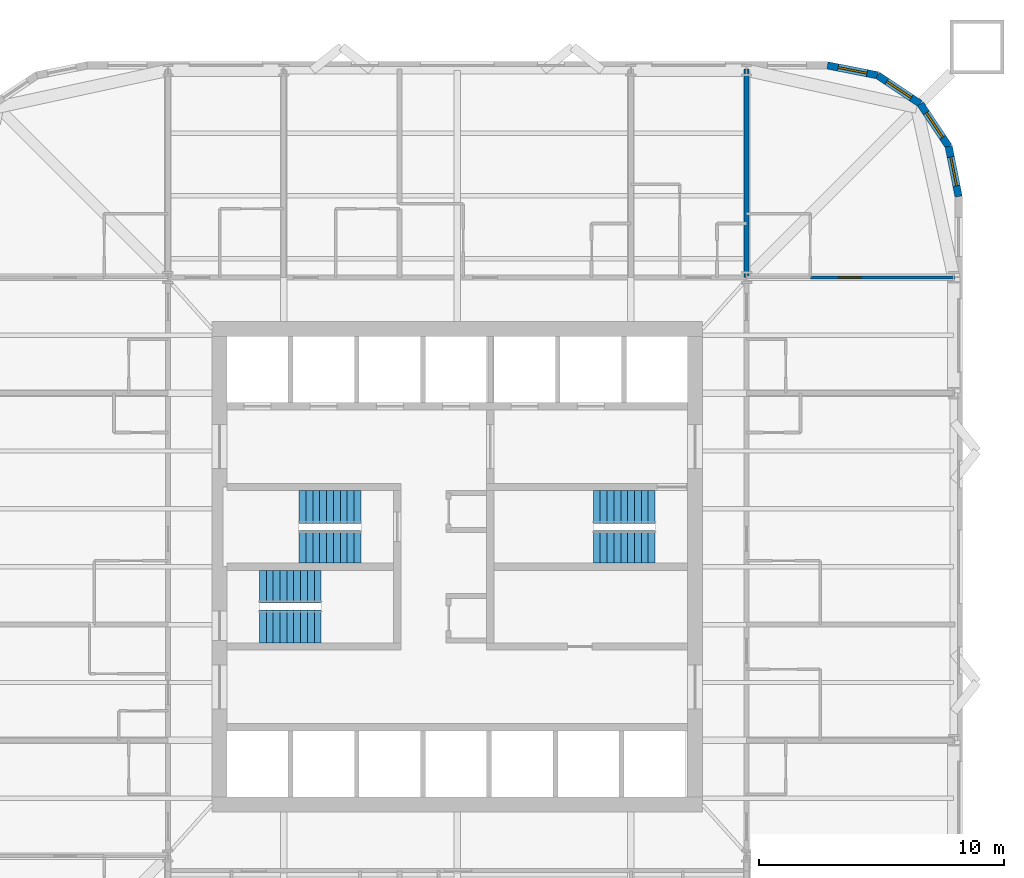
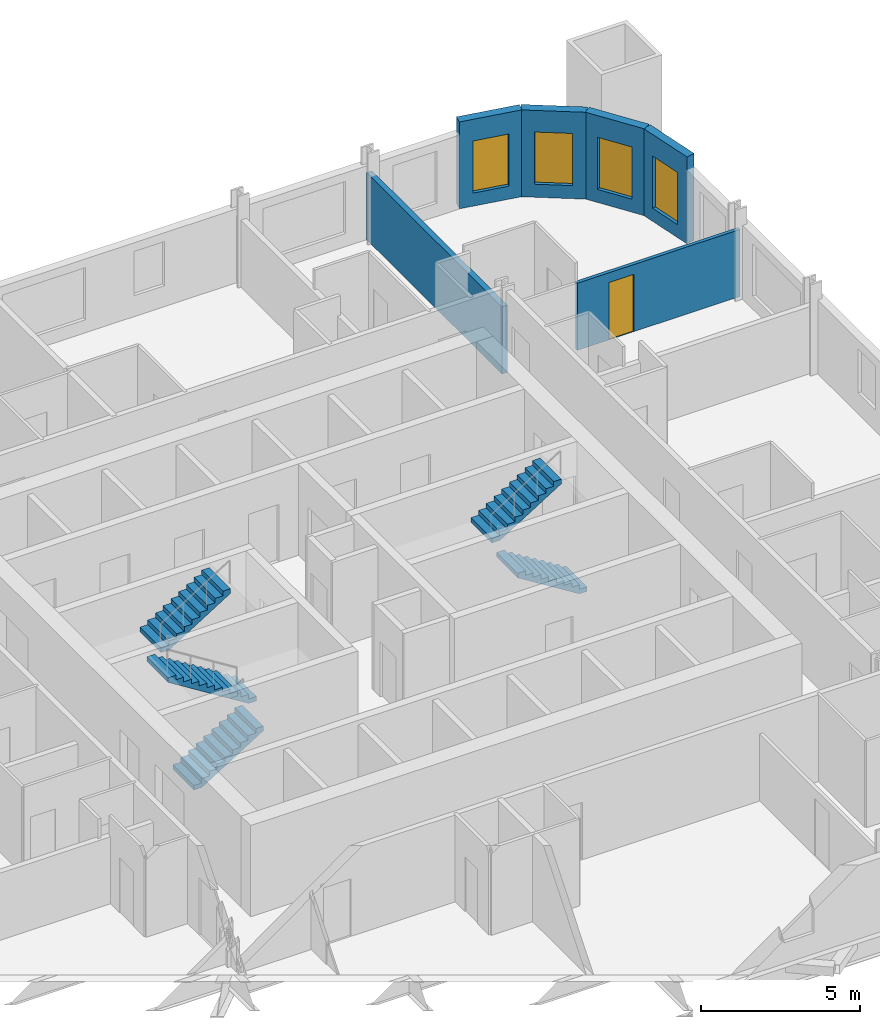
# One storey, part 8 of 9: 6 stair flights, 6 walls, 4 windows, 1 door, 5 openings, 3 elements without a shape of their own.
"""IFC4 building model written with IfcOpenShell, lengths in metres."""

import ifcopenshell
import ifcopenshell.guid

model = None  # the IFC model being written
_history = None  # IfcOwnerHistory: only IFC2X3 demands one
_inside = {}  # id of a spatial element -> (the spatial element, [elements in it])
_under = {}  # id of a project, library or spatial element -> (it, [spatial elements below it])
_declared = {}  # id of a project -> (the project, [libraries it declares])
_typed = {}  # id of a type object -> (the type object, [elements of that type])
_made_of = {}  # id of a material, layer set ... -> (it, [elements and type objects made of it])


def new_model(schema):
    """Start an empty IFC model of exactly this schema.

    Asked for "IFC4X3", IfcOpenShell would pick the latest addendum, in which some entities
    have other attributes; the version numbers below select the first issue.
    IFC2X3 requires an IfcOwnerHistory on every rooted entity: one is made here for all.
    """
    global model, _history
    if schema == "IFC4X3":
        model = ifcopenshell.file(schema_version=(4, 3, 0, 0))
    else:
        model = ifcopenshell.file(schema=schema)
    _inside.clear()
    _under.clear()
    _declared.clear()
    _typed.clear()
    _made_of.clear()
    _history = None
    if model.schema == "IFC2X3":
        org = make("IfcOrganization", Name="unknown")
        user = make(
            "IfcPersonAndOrganization",
            ThePerson=make("IfcPerson", FamilyName="unknown"),
            TheOrganization=org,
        )
        app = make(
            "IfcApplication",
            ApplicationDeveloper=org,
            Version="unknown",
            ApplicationFullName="unknown",
            ApplicationIdentifier="unknown",
        )
        _history = make(
            "IfcOwnerHistory",
            OwningUser=user,
            OwningApplication=app,
            ChangeAction="ADDED",
            CreationDate=0,
        )
    return model


def make(cls, **values):
    """One entity of the class cls with the attributes given. An attribute that is None is left unset."""
    return model.create_entity(
        cls, **{name: value for name, value in values.items() if value is not None}
    )


def rooted(cls, **values):
    """An entity with a GlobalId (a new one), such as an element, a storey or a relation."""
    return make(cls, GlobalId=ifcopenshell.guid.new(), OwnerHistory=_history, **values)


def si_unit(unit_type, name, prefix=None):
    """IfcSIUnit, for example si_unit("LENGTHUNIT", "METRE", prefix="MILLI")."""
    return make("IfcSIUnit", UnitType=unit_type, Prefix=prefix, Name=name)


def assignment(units):
    """IfcUnitAssignment: the units of a project."""
    return None if units is None else make("IfcUnitAssignment", Units=units)


def point(xyz):
    """IfcCartesianPoint."""
    return None if xyz is None else make("IfcCartesianPoint", Coordinates=xyz)


def direction(xyz):
    """IfcDirection."""
    return None if xyz is None else make("IfcDirection", DirectionRatios=xyz)


def frame(location, z_axis=None, x_axis=None):
    """IfcAxis2Placement3D, a coordinate frame: its origin and axes. An axis left out is left unset."""
    return make(
        "IfcAxis2Placement3D",
        Location=point(location),
        Axis=direction(z_axis),
        RefDirection=direction(x_axis),
    )


def frame_2d(location, x_axis=None):
    """IfcAxis2Placement2D, a coordinate frame in the plane: its origin and x axis."""
    return make(
        "IfcAxis2Placement2D", Location=point(location), RefDirection=direction(x_axis)
    )


def origin():
    """The frame at (0, 0, 0) with its axes left unset."""
    return frame((0.0, 0.0, 0.0))


def place(relative_to, where):
    """IfcLocalPlacement: puts the frame where relative to a parent placement (None: the world)."""
    return make(
        "IfcLocalPlacement", PlacementRelTo=relative_to, RelativePlacement=where
    )


def context(
    kind, dimensions, precision=None, world=None, true_north=None, identifier=None
):
    """IfcGeometricRepresentationContext, for example the 3D "Model" context."""
    return make(
        "IfcGeometricRepresentationContext",
        ContextIdentifier=identifier,
        ContextType=kind,
        CoordinateSpaceDimension=dimensions,
        Precision=precision,
        WorldCoordinateSystem=world,
        TrueNorth=true_north,
    )


def subcontext(parent, identifier, kind, view, scale=None):
    """IfcGeometricRepresentationSubContext, for example "Body" below "Model"."""
    return make(
        "IfcGeometricRepresentationSubContext",
        ContextIdentifier=identifier,
        ContextType=kind,
        ParentContext=parent,
        TargetScale=scale,
        TargetView=view,
    )


def project(units=None, contexts=None):
    """IfcProject with its units and contexts."""
    return rooted(
        "IfcProject",
        Name="project",
        RepresentationContexts=contexts,
        UnitsInContext=assignment(units),
    )


def spatial(cls, under=None, at=None, **own):
    """A site, building, storey or space (cls), placed at a placement, below another one or the project."""
    s = rooted(cls, ObjectPlacement=at, **own)
    if under is not None:
        _under.setdefault(under.id(), (under, []))[1].append(s)
    return s


def polyline(points):
    """IfcPolyline through the points."""
    return make("IfcPolyline", Points=[point(p) for p in points])


def profile(cls, at=None, kind="AREA", **sizes):
    """A parametric profile (cls). Its sizes go by their IFC names, for example OverallWidth=200.0."""
    return make(cls, ProfileType=kind, Position=at, **sizes)


def rectangle(**sizes):
    """IfcRectangleProfileDef."""
    return profile("IfcRectangleProfileDef", **sizes)


def outline(outer, holes=None, kind="AREA"):
    """IfcArbitraryClosedProfileDef: a profile drawn as a closed curve; with holes, ...WithVoids."""
    if holes is None:
        return make("IfcArbitraryClosedProfileDef", ProfileType=kind, OuterCurve=outer)
    return make(
        "IfcArbitraryProfileDefWithVoids",
        ProfileType=kind,
        OuterCurve=outer,
        InnerCurves=holes,
    )


def extrude(swept, where, along, depth):
    """IfcExtrudedAreaSolid: the profile swept, set in the frame where, extruded along a direction by depth."""
    return make(
        "IfcExtrudedAreaSolid",
        SweptArea=swept,
        Position=where,
        ExtrudedDirection=direction(along),
        Depth=depth,
    )


def shape(context_of_items, identifier, shape_type, items):
    """IfcShapeRepresentation: the items that make up one representation, for example the "Body"."""
    return make(
        "IfcShapeRepresentation",
        ContextOfItems=context_of_items,
        RepresentationIdentifier=identifier,
        RepresentationType=shape_type,
        Items=items,
    )


def material(Name=None, Category=None):
    """IfcMaterial."""
    return make("IfcMaterial", Name=Name, Category=Category)


def layer(
    of_material, thickness, ventilated=None, Name=None, Category=None, Priority=None
):
    """IfcMaterialLayer: one layer of a wall or slab, of a material (None: an air gap)."""
    return make(
        "IfcMaterialLayer",
        Material=of_material,
        LayerThickness=thickness,
        IsVentilated=ventilated,
        Name=Name,
        Category=Category,
        Priority=Priority,
    )


def layer_set(layers, Name=None):
    """IfcMaterialLayerSet."""
    return make("IfcMaterialLayerSet", MaterialLayers=layers, LayerSetName=Name)


def made_of(thing, what):
    """Note that an element or type object is made of a material, layer set ...; save() writes the relation."""
    if what is not None:
        _made_of.setdefault(what.id(), (what, []))[1].append(thing)
    return thing


def type_object(cls, material=None, **own):
    """A type object (cls), such as IfcWallType, which elements share."""
    return made_of(rooted(cls, **own), material)


def element(
    cls,
    number,
    at=None,
    inside=None,
    cuts=None,
    type_object=None,
    material=None,
    context=None,
    identifier="Body",
    shape_type=None,
    held_by="IfcProductDefinitionShape",
    body=None,
    shapes=None,
    **own,
):
    """One element of the class cls, such as IfcWall. Its Tag is "e" and its number.

    at: its placement. inside: the storey or other place that contains it. cuts: it is an
    opening in that element (IfcRelVoidsElement). A single representation is given by context,
    identifier, shape_type and body (its items); several are given by shapes. held_by: the class
    of the entity that holds the representations. save() writes the other relations.
    """
    e = rooted(cls, Tag="e%d" % number, ObjectPlacement=at, **own)
    if body is not None:
        shapes = [shape(context, identifier, shape_type, body)]
    if shapes is not None:
        e.Representation = make(held_by, Representations=shapes)
    if inside is not None:
        _inside.setdefault(inside.id(), (inside, []))[1].append(e)
    if cuts is not None:
        rooted(
            "IfcRelVoidsElement", RelatingBuildingElement=cuts, RelatedOpeningElement=e
        )
    if type_object is not None:
        _typed.setdefault(type_object.id(), (type_object, []))[1].append(e)
    return made_of(e, material)


def fill(opening, filler):
    """IfcRelFillsElement: the door or window that sits in an opening."""
    return rooted(
        "IfcRelFillsElement",
        RelatingOpeningElement=opening,
        RelatedBuildingElement=filler,
    )


def aggregate(whole, parts):
    """IfcRelAggregates: a whole, such as a stair, and the parts it consists of."""
    return rooted("IfcRelAggregates", RelatingObject=whole, RelatedObjects=parts)


def save(model, path):
    """Write the relations noted so far, then the file.

    IfcRelAggregates (storeys below a building ...), IfcRelContainedInSpatialStructure (elements
    in a storey), IfcRelDefinesByType, IfcRelAssociatesMaterial and IfcRelDeclares: one each for
    every whole, place, type object, material and project.
    """
    for whole, parts in _under.values():
        aggregate(whole, parts)
    for where, things in _inside.values():
        rooted(
            "IfcRelContainedInSpatialStructure",
            RelatedElements=things,
            RelatingStructure=where,
        )
    for kind, things in _typed.values():
        rooted("IfcRelDefinesByType", RelatedObjects=things, RelatingType=kind)
    for what, things in _made_of.values():
        rooted("IfcRelAssociatesMaterial", RelatedObjects=things, RelatingMaterial=what)
    for by, libraries in _declared.values():
        rooted("IfcRelDeclares", RelatingContext=by, RelatedDefinitions=libraries)
    model.write(path)


model = new_model("IFC4")

# Units and contexts
model_context = context("Model", 3, precision=1e-05, world=origin(), true_north=direction((0.0, 1.0)))
body_context = subcontext(model_context, "Body", "Model", "MODEL_VIEW")
ifc_project = project(units=[si_unit("LENGTHUNIT", "METRE"), si_unit("AREAUNIT", "SQUARE_METRE"), si_unit("VOLUMEUNIT", "CUBIC_METRE"), si_unit("PLANEANGLEUNIT", "RADIAN"), si_unit("MASSUNIT", "GRAM", prefix="KILO")], contexts=[model_context])

# Site, building, storey
site_placement = place(None, origin())
site = spatial("IfcSite", under=ifc_project, at=site_placement, CompositionType="ELEMENT")
building_placement = place(site_placement, origin())
building = spatial("IfcBuilding", under=site, at=building_placement, Name="Turquesa Mirador Hotel Tower", CompositionType="ELEMENT")
storey_placement = place(building_placement, frame((0.0, 0.0, 131.89990234375)))
storey = spatial("IfcBuildingStorey", under=building, at=storey_placement, Name="L35", CompositionType="ELEMENT", Elevation=131.89990234375)

# Wall, opening, window
ifc_material_1 = material(Name="Limestone cladding on concrete block", Category="masonry")
ifc_layer_1 = layer(ifc_material_1, 0.300048828125)
ifc_layer_set_1 = layer_set([ifc_layer_1], Name="FACADE WALL 300 STONE SCREEN")
wall_type_1 = type_object("IfcWallType", Name="FACADE WALL 300 STONE SCREEN", PredefinedType="SOLIDWALL", material=ifc_layer_set_1)
wall_1_placement = place(storey_placement, frame((75.449951171875, 60.10009765625, 0.0), z_axis=(0.0, 0.0, 1.0), x_axis=(-0.195081421501, 0.980787050784, 0.0)))
wall_1 = element("IfcWall", 1, at=wall_1_placement, inside=storey, type_object=wall_type_1, Name="Facade wall L35 05", PredefinedType="SOLIDWALL", context=body_context, shape_type="SweptSolid", body=[
    extrude(rectangle(XDim=2.08740234375, YDim=0.300048828125, at=frame_2d((1.043701171875, 0.0))), origin(), (0.0, 0.0, 1.0), 3.330078125),
])
opening_1_placement = place(wall_1_placement, frame((0.443603515625, 0.0, 0.5)))
opening_1 = element("IfcOpeningElement", 2, at=opening_1_placement, cuts=wall_1, Name="Opening WN4", PredefinedType="OPENING", context=body_context, shape_type="SweptSolid", body=[
    extrude(rectangle(XDim=1.199951171875, YDim=2.0, at=frame_2d((0.60009765625, 1.0))), frame((0.0, 0.159912109375, 0.0), z_axis=(0.0, -1.0, 0.0), x_axis=(1.0, 0.0, 0.0)), (0.0, 0.0, 1.0), 0.320068359375),
])
ifc_material_2 = material(Name="Ceramic-fritted laminated glass", Category="glass")
window_type = type_object("IfcWindowType", Name="FRITTED CORNER WINDOW 1200X2000", PartitioningType="DOUBLE_PANEL_HORIZONTAL", PredefinedType="WINDOW", material=ifc_material_2)
window_1_placement = place(opening_1_placement, origin())
window_1 = element("IfcWindow", 3, at=window_1_placement, inside=storey, type_object=window_type, Name="Window L35", OverallHeight=2.0, OverallWidth=1.199951171875, PartitioningType="SINGLE_PANEL", PredefinedType="WINDOW", context=body_context, shape_type="SweptSolid", body=[
    extrude(rectangle(XDim=1.199951171875, YDim=2.0, at=frame_2d((0.60009765625, 1.0))), frame((0.0, 0.030029296875, 0.0), z_axis=(0.0, -1.0, 0.0), x_axis=(1.0, 0.0, 0.0)), (0.0, 0.0, 1.0), 0.06005859375),
])
fill(opening_1, window_1)

wall_2_placement = place(storey_placement, frame((75.042724609375, 62.1474609375, 0.0), z_axis=(0.0, 0.0, 1.0), x_axis=(-0.555563607591, 0.831474039234, 0.0)))
wall_2 = element("IfcWall", 4, at=wall_2_placement, inside=storey, type_object=wall_type_1, Name="Facade wall L35 06", PredefinedType="SOLIDWALL", context=body_context, shape_type="SweptSolid", body=[
    extrude(rectangle(XDim=2.08740234375, YDim=0.300048828125, at=frame_2d((1.043701171875, 0.0))), origin(), (0.0, 0.0, 1.0), 3.330078125),
])
opening_2_placement = place(wall_2_placement, frame((0.443603515625, 0.0, 0.5)))
opening_2 = element("IfcOpeningElement", 5, at=opening_2_placement, cuts=wall_2, Name="Opening WN4", PredefinedType="OPENING", context=body_context, shape_type="SweptSolid", body=[
    extrude(rectangle(XDim=1.199951171875, YDim=2.0, at=frame_2d((0.60009765625, 1.0))), frame((0.0, 0.159912109375, 0.0), z_axis=(0.0, -1.0, 0.0), x_axis=(1.0, 0.0, 0.0)), (0.0, 0.0, 1.0), 0.320068359375),
])
window_2_placement = place(opening_2_placement, origin())
window_2 = element("IfcWindow", 6, at=window_2_placement, inside=storey, type_object=window_type, Name="Window L35", OverallHeight=2.0, OverallWidth=1.199951171875, PartitioningType="SINGLE_PANEL", PredefinedType="WINDOW", context=body_context, shape_type="SweptSolid", body=[
    extrude(rectangle(XDim=1.199951171875, YDim=2.0, at=frame_2d((0.60009765625, 1.0))), frame((0.0, 0.030029296875, 0.0), z_axis=(0.0, -1.0, 0.0), x_axis=(1.0, 0.0, 0.0)), (0.0, 0.0, 1.0), 0.06005859375),
])
fill(opening_2, window_2)

wall_3_placement = place(storey_placement, frame((73.883056640625, 63.883056640625, 0.0), z_axis=(0.0, 0.0, 1.0), x_axis=(-0.831474039234, 0.555563607591, 0.0)))
wall_3 = element("IfcWall", 7, at=wall_3_placement, inside=storey, type_object=wall_type_1, Name="Facade wall L35 07", PredefinedType="SOLIDWALL", context=body_context, shape_type="SweptSolid", body=[
    extrude(rectangle(XDim=2.08740234375, YDim=0.300048828125, at=frame_2d((1.043701171875, 0.0))), origin(), (0.0, 0.0, 1.0), 3.330078125),
])
opening_3_placement = place(wall_3_placement, frame((0.443603515625, 0.0, 0.5)))
opening_3 = element("IfcOpeningElement", 8, at=opening_3_placement, cuts=wall_3, Name="Opening WN4", PredefinedType="OPENING", context=body_context, shape_type="SweptSolid", body=[
    extrude(rectangle(XDim=1.199951171875, YDim=2.0, at=frame_2d((0.60009765625, 1.0))), frame((0.0, 0.159912109375, 0.0), z_axis=(0.0, -1.0, 0.0), x_axis=(1.0, 0.0, 0.0)), (0.0, 0.0, 1.0), 0.320068359375),
])
window_3_placement = place(opening_3_placement, origin())
window_3 = element("IfcWindow", 9, at=window_3_placement, inside=storey, type_object=window_type, Name="Window L35", OverallHeight=2.0, OverallWidth=1.199951171875, PartitioningType="SINGLE_PANEL", PredefinedType="WINDOW", context=body_context, shape_type="SweptSolid", body=[
    extrude(rectangle(XDim=1.199951171875, YDim=2.0, at=frame_2d((0.60009765625, 1.0))), frame((0.0, 0.030029296875, 0.0), z_axis=(0.0, -1.0, 0.0), x_axis=(1.0, 0.0, 0.0)), (0.0, 0.0, 1.0), 0.06005859375),
])
fill(opening_3, window_3)

wall_4_placement = place(storey_placement, frame((72.1474609375, 65.042724609375, 0.0), z_axis=(0.0, 0.0, 1.0), x_axis=(-0.980787050784, 0.195081421501, 0.0)))
wall_4 = element("IfcWall", 10, at=wall_4_placement, inside=storey, type_object=wall_type_1, Name="Facade wall L35 08", PredefinedType="SOLIDWALL", context=body_context, shape_type="SweptSolid", body=[
    extrude(rectangle(XDim=2.08740234375, YDim=0.300048828125, at=frame_2d((1.043701171875, 0.0))), origin(), (0.0, 0.0, 1.0), 3.330078125),
])
opening_4_placement = place(wall_4_placement, frame((0.443603515625, 0.0, 0.5)))
opening_4 = element("IfcOpeningElement", 11, at=opening_4_placement, cuts=wall_4, Name="Opening WN4", PredefinedType="OPENING", context=body_context, shape_type="SweptSolid", body=[
    extrude(rectangle(XDim=1.199951171875, YDim=2.0, at=frame_2d((0.60009765625, 1.0))), frame((0.0, 0.159912109375, 0.0), z_axis=(0.0, -1.0, 0.0), x_axis=(1.0, 0.0, 0.0)), (0.0, 0.0, 1.0), 0.320068359375),
])
window_4_placement = place(opening_4_placement, origin())
window_4 = element("IfcWindow", 12, at=window_4_placement, inside=storey, type_object=window_type, Name="Window L35", OverallHeight=2.0, OverallWidth=1.199951171875, PartitioningType="SINGLE_PANEL", PredefinedType="WINDOW", context=body_context, shape_type="SweptSolid", body=[
    extrude(rectangle(XDim=1.199951171875, YDim=2.0, at=frame_2d((0.60009765625, 1.0))), frame((0.0, 0.030029296875, 0.0), z_axis=(0.0, -1.0, 0.0), x_axis=(1.0, 0.0, 0.0)), (0.0, 0.0, 1.0), 0.06005859375),
])
fill(opening_4, window_4)

# Wall
ifc_material_3 = material(Name="Fire-rated gypsum board on steel studs", Category="steel")
ifc_layer_2 = layer(ifc_material_3, 0.199951171875)
ifc_layer_set_2 = layer_set([ifc_layer_2], Name="PARTY WALL 200")
wall_type_2 = type_object("IfcWallType", Name="PARTY WALL 200", PredefinedType="PARTITIONING", material=ifc_layer_set_2)
wall_5_placement = place(storey_placement, frame((66.800048828125, 56.800048828125, 0.0), z_axis=(0.0, 0.0, 1.0), x_axis=(0.0, 1.0, 0.0)))
element("IfcWall", 13, at=wall_5_placement, inside=storey, type_object=wall_type_2, Name="Partition L35 067", PredefinedType="PARTITIONING", context=body_context, shape_type="SweptSolid", body=[
    extrude(rectangle(XDim=8.5, YDim=0.199951171875, at=frame_2d((4.25, 0.0))), origin(), (0.0, 0.0, 1.0), 2.5732421875),
])

# Wall, opening, door
ifc_material_4 = material(Name="Acoustic gypsum board on steel studs", Category="steel")
ifc_layer_3 = layer(ifc_material_4, 0.125)
ifc_layer_set_3 = layer_set([ifc_layer_3], Name="SUITE PARTITION 125")
wall_type_3 = type_object("IfcWallType", Name="SUITE PARTITION 125", PredefinedType="PARTITIONING", material=ifc_layer_set_3)
wall_6_placement = place(storey_placement, frame((69.39990234375, 56.800048828125, 0.0), z_axis=(0.0, 0.0, 1.0), x_axis=(1.0, 0.0, 0.0)))
wall_6 = element("IfcWall", 14, at=wall_6_placement, inside=storey, type_object=wall_type_3, Name="Partition L35 028", PredefinedType="PARTITIONING", context=body_context, shape_type="SweptSolid", body=[
    extrude(rectangle(XDim=5.900146484375, YDim=0.125, at=frame_2d((2.9501953125, 0.0))), origin(), (0.0, 0.0, 1.0), 2.5732421875),
])
opening_5_placement = place(wall_6_placement, frame((1.14990234375, 0.0, 0.0)))
opening_5 = element("IfcOpeningElement", 15, at=opening_5_placement, cuts=wall_6, Name="Opening D17", PredefinedType="OPENING", context=body_context, shape_type="SweptSolid", body=[
    extrude(rectangle(XDim=0.89990234375, YDim=2.199951171875, at=frame_2d((0.449951171875, 1.10009765625))), frame((0.0, 0.072509765625, 0.0), z_axis=(0.0, -1.0, 0.0), x_axis=(1.0, 0.0, 0.0)), (0.0, 0.0, 1.0), 0.14501953125),
])
ifc_material_5 = material(Name="Timber veneered door", Category="wood")
door_type = type_object("IfcDoorType", Name="DOOR 900X2200 SUITE INTERNAL", OperationType="SINGLE_SWING_LEFT", PredefinedType="DOOR", material=ifc_material_5)
door_placement = place(opening_5_placement, origin())
door = element("IfcDoor", 16, at=door_placement, inside=storey, type_object=door_type, Name="Door 3511R", OperationType="SINGLE_SWING_LEFT", OverallHeight=2.199951171875, OverallWidth=0.89990234375, PredefinedType="DOOR", context=body_context, shape_type="SweptSolid", body=[
    extrude(rectangle(XDim=0.89990234375, YDim=2.199951171875, at=frame_2d((0.449951171875, 1.10009765625))), frame((0.0, 0.02490234375, 0.0), z_axis=(0.0, -1.0, 0.0), x_axis=(1.0, 0.0, 0.0)), (0.0, 0.0, 1.0), 0.050048828125),
])
fill(opening_5, door)

# Stair, stair flights
ifc_material_6 = material(Name="Concrete C35/45", Category="concrete")
stair_type = type_object("IfcStairType", Name="ESCAPE STAIR CORE", PredefinedType="HALF_TURN_STAIR", material=ifc_material_6)
stair_1_placement = place(storey_placement, origin())
stair_1 = element("IfcStair", 17, at=stair_1_placement, inside=storey, type_object=stair_type, Name="Stair ST1 L35 to L36", PredefinedType="HALF_TURN_STAIR")
ifc_material_7 = material(Name="Concrete C35/45 precast flight", Category="concrete")
stair_flight_type = type_object("IfcStairFlightType", Name="STAIR FLIGHT 1330", PredefinedType="STRAIGHT", material=ifc_material_7)
stair_flight_1_placement = place(storey_placement, frame((51.070068359375, 45.81494140625, 0.0), z_axis=(0.0, 0.0, 1.0), x_axis=(-1.0, 0.0, 0.0)))
stair_flight_1 = element("IfcStairFlight", 18, at=stair_flight_1_placement, type_object=stair_flight_type, Name="ST1 flight 1", NumberOfRisers=10, NumberOfTreads=9, PredefinedType="STRAIGHT", RiserHeight=0.175, TreadLength=0.28, context=body_context, shape_type="SweptSolid", body=[
    extrude(outline(polyline([(0.0, 0.0), (0.0, 0.175048828125), (0.280029296875, 0.175048828125), (0.280029296875, 0.35009765625), (0.56005859375, 0.35009765625), (0.56005859375, 0.52490234375), (0.840087890625, 0.52490234375), (0.840087890625, 0.699951171875), (1.1201171875, 0.699951171875), (1.1201171875, 0.875), (1.39990234375, 0.875), (1.39990234375, 1.050048828125), (1.679931640625, 1.050048828125), (1.679931640625, 1.22509765625), (1.9599609375, 1.22509765625), (1.9599609375, 1.39990234375), (2.239990234375, 1.39990234375), (2.239990234375, 1.574951171875), (2.52001953125, 1.574951171875), (2.52001953125, 1.75), (2.52001953125, 1.398193359375), (0.28271484375, 0.0), (0.0, 0.0)])), frame((0.0, 0.6650390625, 0.0), z_axis=(0.0, -1.0, 0.0), x_axis=(1.0, 0.0, 0.0)), (0.0, 0.0, 1.0), 1.330078125),
])
stair_flight_2_placement = place(storey_placement, frame((48.550048828125, 47.43505859375, 1.75), z_axis=(0.0, 0.0, 1.0), x_axis=(1.0, 0.0, 0.0)))
stair_flight_2 = element("IfcStairFlight", 19, at=stair_flight_2_placement, type_object=stair_flight_type, Name="ST1 flight 2", NumberOfRisers=10, NumberOfTreads=9, PredefinedType="STRAIGHT", RiserHeight=0.175, TreadLength=0.28, context=body_context, shape_type="SweptSolid", body=[
    extrude(outline(polyline([(0.0, 0.0), (0.0, 0.175048828125), (0.280029296875, 0.175048828125), (0.280029296875, 0.35009765625), (0.56005859375, 0.35009765625), (0.56005859375, 0.52490234375), (0.840087890625, 0.52490234375), (0.840087890625, 0.699951171875), (1.1201171875, 0.699951171875), (1.1201171875, 0.875), (1.39990234375, 0.875), (1.39990234375, 1.050048828125), (1.679931640625, 1.050048828125), (1.679931640625, 1.22509765625), (1.9599609375, 1.22509765625), (1.9599609375, 1.39990234375), (2.239990234375, 1.39990234375), (2.239990234375, 1.574951171875), (2.52001953125, 1.574951171875), (2.52001953125, 1.75), (2.52001953125, 1.398193359375), (0.28271484375, 0.0), (0.0, 0.0)])), frame((0.0, 0.6650390625, 0.0), z_axis=(0.0, -1.0, 0.0), x_axis=(1.0, 0.0, 0.0)), (0.0, 0.0, 1.0), 1.330078125),
])
aggregate(stair_1, [stair_flight_1, stair_flight_2])

stair_2_placement = place(storey_placement, origin())
stair_2 = element("IfcStair", 20, at=stair_2_placement, inside=storey, type_object=stair_type, Name="Stair ST2 L35 to L36", PredefinedType="HALF_TURN_STAIR")
stair_flight_3_placement = place(storey_placement, frame((46.929931640625, 42.56494140625, 0.0), z_axis=(0.0, 0.0, 1.0), x_axis=(1.0, 0.0, 0.0)))
stair_flight_3 = element("IfcStairFlight", 21, at=stair_flight_3_placement, type_object=stair_flight_type, Name="ST2 flight 1", NumberOfRisers=10, NumberOfTreads=9, PredefinedType="STRAIGHT", RiserHeight=0.175, TreadLength=0.28, context=body_context, shape_type="SweptSolid", body=[
    extrude(outline(polyline([(0.0, 0.0), (0.0, 0.175048828125), (0.280029296875, 0.175048828125), (0.280029296875, 0.35009765625), (0.56005859375, 0.35009765625), (0.56005859375, 0.52490234375), (0.840087890625, 0.52490234375), (0.840087890625, 0.699951171875), (1.1201171875, 0.699951171875), (1.1201171875, 0.875), (1.39990234375, 0.875), (1.39990234375, 1.050048828125), (1.679931640625, 1.050048828125), (1.679931640625, 1.22509765625), (1.9599609375, 1.22509765625), (1.9599609375, 1.39990234375), (2.239990234375, 1.39990234375), (2.239990234375, 1.574951171875), (2.52001953125, 1.574951171875), (2.52001953125, 1.75), (2.52001953125, 1.398193359375), (0.28271484375, 0.0), (0.0, 0.0)])), frame((0.0, 0.6650390625, 0.0), z_axis=(0.0, -1.0, 0.0), x_axis=(1.0, 0.0, 0.0)), (0.0, 0.0, 1.0), 1.330078125),
])
stair_flight_4_placement = place(storey_placement, frame((49.449951171875, 44.18505859375, 1.75), z_axis=(0.0, 0.0, 1.0), x_axis=(-1.0, 0.0, 0.0)))
stair_flight_4 = element("IfcStairFlight", 22, at=stair_flight_4_placement, type_object=stair_flight_type, Name="ST2 flight 2", NumberOfRisers=10, NumberOfTreads=9, PredefinedType="STRAIGHT", RiserHeight=0.175, TreadLength=0.28, context=body_context, shape_type="SweptSolid", body=[
    extrude(outline(polyline([(0.0, 0.0), (0.0, 0.175048828125), (0.280029296875, 0.175048828125), (0.280029296875, 0.35009765625), (0.56005859375, 0.35009765625), (0.56005859375, 0.52490234375), (0.840087890625, 0.52490234375), (0.840087890625, 0.699951171875), (1.1201171875, 0.699951171875), (1.1201171875, 0.875), (1.39990234375, 0.875), (1.39990234375, 1.050048828125), (1.679931640625, 1.050048828125), (1.679931640625, 1.22509765625), (1.9599609375, 1.22509765625), (1.9599609375, 1.39990234375), (2.239990234375, 1.39990234375), (2.239990234375, 1.574951171875), (2.52001953125, 1.574951171875), (2.52001953125, 1.75), (2.52001953125, 1.398193359375), (0.28271484375, 0.0), (0.0, 0.0)])), frame((0.0, 0.6650390625, 0.0), z_axis=(0.0, -1.0, 0.0), x_axis=(1.0, 0.0, 0.0)), (0.0, 0.0, 1.0), 1.330078125),
])
aggregate(stair_2, [stair_flight_3, stair_flight_4])

stair_3_placement = place(storey_placement, origin())
stair_3 = element("IfcStair", 23, at=stair_3_placement, inside=storey, type_object=stair_type, Name="Stair ST3 L35 to L36", PredefinedType="HALF_TURN_STAIR")
stair_flight_5_placement = place(storey_placement, frame((63.070068359375, 45.81494140625, 0.0), z_axis=(0.0, 0.0, 1.0), x_axis=(-1.0, 0.0, 0.0)))
stair_flight_5 = element("IfcStairFlight", 24, at=stair_flight_5_placement, type_object=stair_flight_type, Name="ST3 flight 1", NumberOfRisers=10, NumberOfTreads=9, PredefinedType="STRAIGHT", RiserHeight=0.175, TreadLength=0.28, context=body_context, shape_type="SweptSolid", body=[
    extrude(outline(polyline([(0.0, 0.0), (0.0, 0.175048828125), (0.280029296875, 0.175048828125), (0.280029296875, 0.35009765625), (0.56005859375, 0.35009765625), (0.56005859375, 0.52490234375), (0.840087890625, 0.52490234375), (0.840087890625, 0.699951171875), (1.1201171875, 0.699951171875), (1.1201171875, 0.875), (1.39990234375, 0.875), (1.39990234375, 1.050048828125), (1.679931640625, 1.050048828125), (1.679931640625, 1.22509765625), (1.9599609375, 1.22509765625), (1.9599609375, 1.39990234375), (2.239990234375, 1.39990234375), (2.239990234375, 1.574951171875), (2.52001953125, 1.574951171875), (2.52001953125, 1.75), (2.52001953125, 1.398193359375), (0.28271484375, 0.0), (0.0, 0.0)])), frame((0.0, 0.6650390625, 0.0), z_axis=(0.0, -1.0, 0.0), x_axis=(1.0, 0.0, 0.0)), (0.0, 0.0, 1.0), 1.330078125),
])
stair_flight_6_placement = place(storey_placement, frame((60.550048828125, 47.43505859375, 1.75), z_axis=(0.0, 0.0, 1.0), x_axis=(1.0, 0.0, 0.0)))
stair_flight_6 = element("IfcStairFlight", 25, at=stair_flight_6_placement, type_object=stair_flight_type, Name="ST3 flight 2", NumberOfRisers=10, NumberOfTreads=9, PredefinedType="STRAIGHT", RiserHeight=0.175, TreadLength=0.28, context=body_context, shape_type="SweptSolid", body=[
    extrude(outline(polyline([(0.0, 0.0), (0.0, 0.175048828125), (0.280029296875, 0.175048828125), (0.280029296875, 0.35009765625), (0.56005859375, 0.35009765625), (0.56005859375, 0.52490234375), (0.840087890625, 0.52490234375), (0.840087890625, 0.699951171875), (1.1201171875, 0.699951171875), (1.1201171875, 0.875), (1.39990234375, 0.875), (1.39990234375, 1.050048828125), (1.679931640625, 1.050048828125), (1.679931640625, 1.22509765625), (1.9599609375, 1.22509765625), (1.9599609375, 1.39990234375), (2.239990234375, 1.39990234375), (2.239990234375, 1.574951171875), (2.52001953125, 1.574951171875), (2.52001953125, 1.75), (2.52001953125, 1.398193359375), (0.28271484375, 0.0), (0.0, 0.0)])), frame((0.0, 0.6650390625, 0.0), z_axis=(0.0, -1.0, 0.0), x_axis=(1.0, 0.0, 0.0)), (0.0, 0.0, 1.0), 1.330078125),
])
aggregate(stair_3, [stair_flight_5, stair_flight_6])

save(model, "model.ifc")
